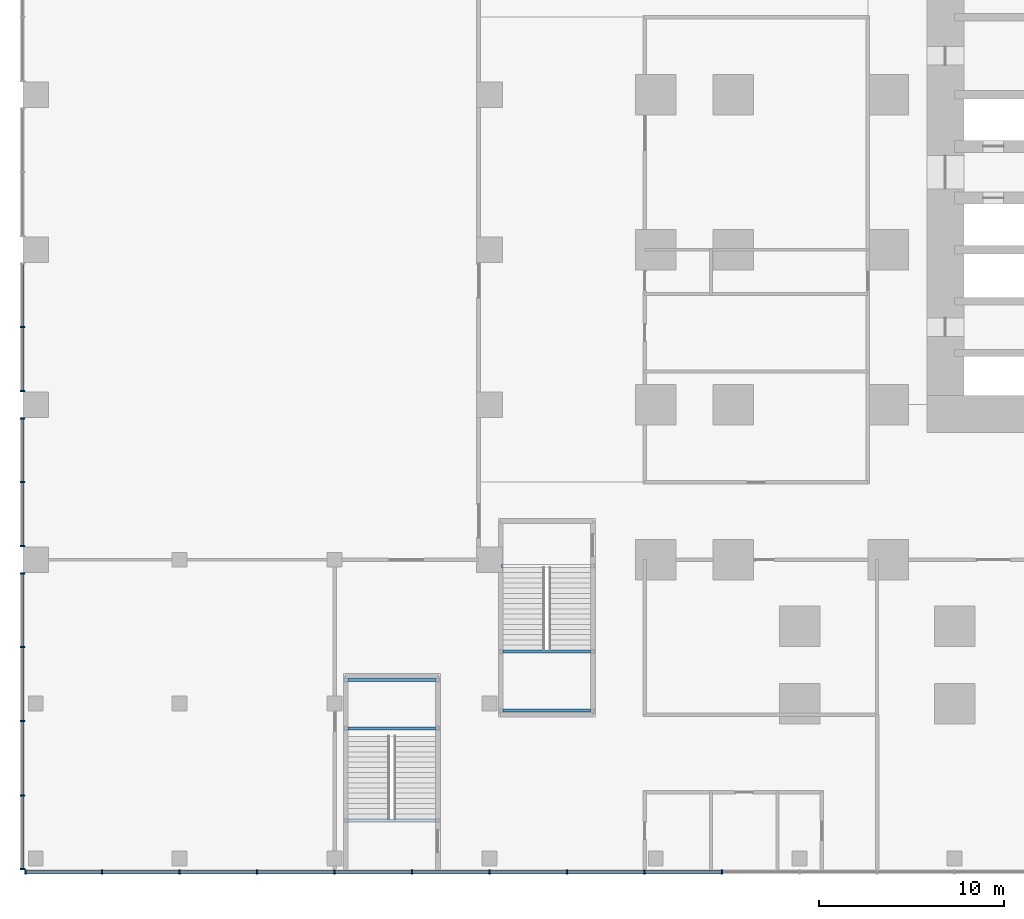
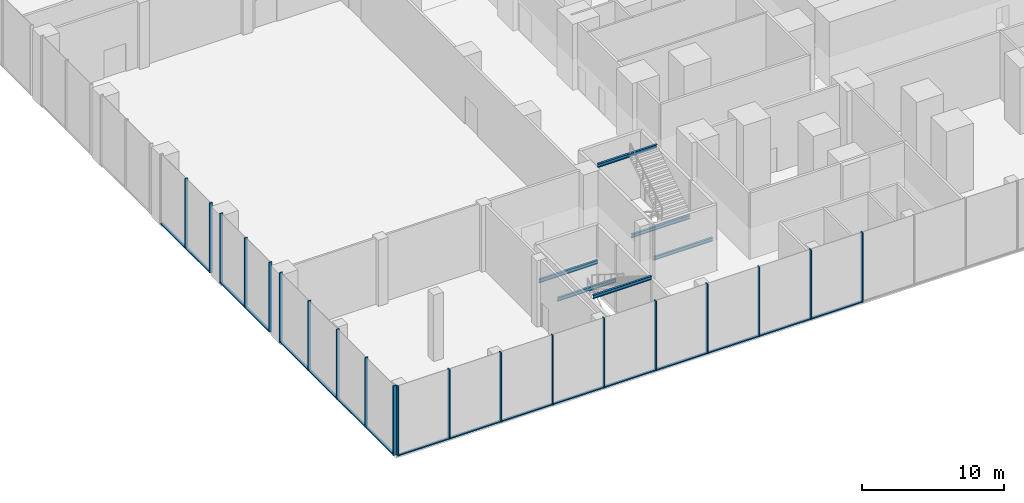
# One storey, part 15 of 32: 37 members, 6 beams, 4 elements without a shape of their own.
"""IFC4 building model written with IfcOpenShell, lengths in metres."""

import ifcopenshell
import ifcopenshell.guid

model = None  # the IFC model being written
_history = None  # IfcOwnerHistory: only IFC2X3 demands one
_inside = {}  # id of a spatial element -> (the spatial element, [elements in it])
_under = {}  # id of a project, library or spatial element -> (it, [spatial elements below it])
_declared = {}  # id of a project -> (the project, [libraries it declares])
_typed = {}  # id of a type object -> (the type object, [elements of that type])
_made_of = {}  # id of a material, layer set ... -> (it, [elements and type objects made of it])


def new_model(schema):
    """Start an empty IFC model of exactly this schema.

    Asked for "IFC4X3", IfcOpenShell would pick the latest addendum, in which some entities
    have other attributes; the version numbers below select the first issue.
    IFC2X3 requires an IfcOwnerHistory on every rooted entity: one is made here for all.
    """
    global model, _history
    if schema == "IFC4X3":
        model = ifcopenshell.file(schema_version=(4, 3, 0, 0))
    else:
        model = ifcopenshell.file(schema=schema)
    _inside.clear()
    _under.clear()
    _declared.clear()
    _typed.clear()
    _made_of.clear()
    _history = None
    if model.schema == "IFC2X3":
        org = make("IfcOrganization", Name="unknown")
        user = make(
            "IfcPersonAndOrganization",
            ThePerson=make("IfcPerson", FamilyName="unknown"),
            TheOrganization=org,
        )
        app = make(
            "IfcApplication",
            ApplicationDeveloper=org,
            Version="unknown",
            ApplicationFullName="unknown",
            ApplicationIdentifier="unknown",
        )
        _history = make(
            "IfcOwnerHistory",
            OwningUser=user,
            OwningApplication=app,
            ChangeAction="ADDED",
            CreationDate=0,
        )
    return model


def make(cls, **values):
    """One entity of the class cls with the attributes given. An attribute that is None is left unset."""
    return model.create_entity(
        cls, **{name: value for name, value in values.items() if value is not None}
    )


def rooted(cls, **values):
    """An entity with a GlobalId (a new one), such as an element, a storey or a relation."""
    return make(cls, GlobalId=ifcopenshell.guid.new(), OwnerHistory=_history, **values)


def si_unit(unit_type, name, prefix=None):
    """IfcSIUnit, for example si_unit("LENGTHUNIT", "METRE", prefix="MILLI")."""
    return make("IfcSIUnit", UnitType=unit_type, Prefix=prefix, Name=name)


def assignment(units):
    """IfcUnitAssignment: the units of a project."""
    return None if units is None else make("IfcUnitAssignment", Units=units)


def point(xyz):
    """IfcCartesianPoint."""
    return None if xyz is None else make("IfcCartesianPoint", Coordinates=xyz)


def direction(xyz):
    """IfcDirection."""
    return None if xyz is None else make("IfcDirection", DirectionRatios=xyz)


def frame(location, z_axis=None, x_axis=None):
    """IfcAxis2Placement3D, a coordinate frame: its origin and axes. An axis left out is left unset."""
    return make(
        "IfcAxis2Placement3D",
        Location=point(location),
        Axis=direction(z_axis),
        RefDirection=direction(x_axis),
    )


def frame_2d(location, x_axis=None):
    """IfcAxis2Placement2D, a coordinate frame in the plane: its origin and x axis."""
    return make(
        "IfcAxis2Placement2D", Location=point(location), RefDirection=direction(x_axis)
    )


def origin():
    """The frame at (0, 0, 0) with its axes left unset."""
    return frame((0.0, 0.0, 0.0))


def origin_2d():
    """The frame at (0, 0) in the plane with its x axis left unset."""
    return frame_2d((0.0, 0.0))


def place(relative_to, where):
    """IfcLocalPlacement: puts the frame where relative to a parent placement (None: the world)."""
    return make(
        "IfcLocalPlacement", PlacementRelTo=relative_to, RelativePlacement=where
    )


def context(
    kind, dimensions, precision=None, world=None, true_north=None, identifier=None
):
    """IfcGeometricRepresentationContext, for example the 3D "Model" context."""
    return make(
        "IfcGeometricRepresentationContext",
        ContextIdentifier=identifier,
        ContextType=kind,
        CoordinateSpaceDimension=dimensions,
        Precision=precision,
        WorldCoordinateSystem=world,
        TrueNorth=true_north,
    )


def subcontext(parent, identifier, kind, view, scale=None):
    """IfcGeometricRepresentationSubContext, for example "Body" below "Model"."""
    return make(
        "IfcGeometricRepresentationSubContext",
        ContextIdentifier=identifier,
        ContextType=kind,
        ParentContext=parent,
        TargetScale=scale,
        TargetView=view,
    )


def project(units=None, contexts=None):
    """IfcProject with its units and contexts."""
    return rooted(
        "IfcProject",
        Name="project",
        RepresentationContexts=contexts,
        UnitsInContext=assignment(units),
    )


def spatial(cls, under=None, at=None, **own):
    """A site, building, storey or space (cls), placed at a placement, below another one or the project."""
    s = rooted(cls, ObjectPlacement=at, **own)
    if under is not None:
        _under.setdefault(under.id(), (under, []))[1].append(s)
    return s


def profile(cls, at=None, kind="AREA", **sizes):
    """A parametric profile (cls). Its sizes go by their IFC names, for example OverallWidth=200.0."""
    return make(cls, ProfileType=kind, Position=at, **sizes)


def rectangle(**sizes):
    """IfcRectangleProfileDef."""
    return profile("IfcRectangleProfileDef", **sizes)


def i_section(**sizes):
    """IfcIShapeProfileDef."""
    return profile("IfcIShapeProfileDef", **sizes)


def extrude(swept, where, along, depth):
    """IfcExtrudedAreaSolid: the profile swept, set in the frame where, extruded along a direction by depth."""
    return make(
        "IfcExtrudedAreaSolid",
        SweptArea=swept,
        Position=where,
        ExtrudedDirection=direction(along),
        Depth=depth,
    )


def shape(context_of_items, identifier, shape_type, items):
    """IfcShapeRepresentation: the items that make up one representation, for example the "Body"."""
    return make(
        "IfcShapeRepresentation",
        ContextOfItems=context_of_items,
        RepresentationIdentifier=identifier,
        RepresentationType=shape_type,
        Items=items,
    )


def material(Name=None, Category=None):
    """IfcMaterial."""
    return make("IfcMaterial", Name=Name, Category=Category)


def material_profile(
    of_material, cross_section, Name=None, Category=None, Priority=None
):
    """IfcMaterialProfile: a cross section and its material."""
    return make(
        "IfcMaterialProfile",
        Name=Name,
        Material=of_material,
        Profile=cross_section,
        Priority=Priority,
        Category=Category,
    )


def profile_set(profiles, Name=None, composite=None):
    """IfcMaterialProfileSet."""
    return make(
        "IfcMaterialProfileSet",
        Name=Name,
        MaterialProfiles=profiles,
        CompositeProfile=composite,
    )


def made_of(thing, what):
    """Note that an element or type object is made of a material, layer set ...; save() writes the relation."""
    if what is not None:
        _made_of.setdefault(what.id(), (what, []))[1].append(thing)
    return thing


def type_object(cls, material=None, **own):
    """A type object (cls), such as IfcWallType, which elements share."""
    return made_of(rooted(cls, **own), material)


def element(
    cls,
    number,
    at=None,
    inside=None,
    cuts=None,
    type_object=None,
    material=None,
    context=None,
    identifier="Body",
    shape_type=None,
    held_by="IfcProductDefinitionShape",
    body=None,
    shapes=None,
    **own,
):
    """One element of the class cls, such as IfcWall. Its Tag is "e" and its number.

    at: its placement. inside: the storey or other place that contains it. cuts: it is an
    opening in that element (IfcRelVoidsElement). A single representation is given by context,
    identifier, shape_type and body (its items); several are given by shapes. held_by: the class
    of the entity that holds the representations. save() writes the other relations.
    """
    e = rooted(cls, Tag="e%d" % number, ObjectPlacement=at, **own)
    if body is not None:
        shapes = [shape(context, identifier, shape_type, body)]
    if shapes is not None:
        e.Representation = make(held_by, Representations=shapes)
    if inside is not None:
        _inside.setdefault(inside.id(), (inside, []))[1].append(e)
    if cuts is not None:
        rooted(
            "IfcRelVoidsElement", RelatingBuildingElement=cuts, RelatedOpeningElement=e
        )
    if type_object is not None:
        _typed.setdefault(type_object.id(), (type_object, []))[1].append(e)
    return made_of(e, material)


def aggregate(whole, parts):
    """IfcRelAggregates: a whole, such as a stair, and the parts it consists of."""
    return rooted("IfcRelAggregates", RelatingObject=whole, RelatedObjects=parts)


def save(model, path):
    """Write the relations noted so far, then the file.

    IfcRelAggregates (storeys below a building ...), IfcRelContainedInSpatialStructure (elements
    in a storey), IfcRelDefinesByType, IfcRelAssociatesMaterial and IfcRelDeclares: one each for
    every whole, place, type object, material and project.
    """
    for whole, parts in _under.values():
        aggregate(whole, parts)
    for where, things in _inside.values():
        rooted(
            "IfcRelContainedInSpatialStructure",
            RelatedElements=things,
            RelatingStructure=where,
        )
    for kind, things in _typed.values():
        rooted("IfcRelDefinesByType", RelatedObjects=things, RelatingType=kind)
    for what, things in _made_of.values():
        rooted("IfcRelAssociatesMaterial", RelatedObjects=things, RelatingMaterial=what)
    for by, libraries in _declared.values():
        rooted("IfcRelDeclares", RelatingContext=by, RelatedDefinitions=libraries)
    model.write(path)


model = new_model("IFC4")

# Units and contexts
model_context = context("Model", 3, precision=1e-05, world=origin(), true_north=direction((0.0, 1.0)))
body_context = subcontext(model_context, "Body", "Model", "MODEL_VIEW")
ifc_project = project(units=[si_unit("LENGTHUNIT", "METRE"), si_unit("AREAUNIT", "SQUARE_METRE"), si_unit("VOLUMEUNIT", "CUBIC_METRE"), si_unit("PLANEANGLEUNIT", "RADIAN"), si_unit("MASSUNIT", "GRAM", prefix="KILO")], contexts=[model_context])

# Site, building, storey
site_placement = place(None, origin())
site = spatial("IfcSite", under=ifc_project, at=site_placement, CompositionType="ELEMENT")
building_placement = place(site_placement, origin())
building = spatial("IfcBuilding", under=site, at=building_placement, Name="Dunama Terrace Hotel", CompositionType="ELEMENT")
storey_placement = place(building_placement, frame((0.0, 0.0, 6.0)))
storey = spatial("IfcBuildingStorey", under=building, at=storey_placement, Name="L01", CompositionType="ELEMENT", Elevation=6.0)

# Curtain wall, members
ifc_material_1 = material(Name="Aluminium curtain wall system", Category="aluminium")
curtain_wall_type = type_object("IfcCurtainWallType", Name="Podium storefront glazing CW-E", PredefinedType="NOTDEFINED", material=ifc_material_1)
curtain_wall_1_placement = place(storey_placement, origin())
curtain_wall_1 = element("IfcCurtainWall", 1, at=curtain_wall_1_placement, inside=storey, type_object=curtain_wall_type, Name="Podium storefront glazing CW-E L01", PredefinedType="NOTDEFINED")
ifc_material_2 = material(Name="Aluminium mullion", Category="aluminium")
ifc_material_profile_1 = material_profile(ifc_material_2, rectangle(XDim=0.080078125, YDim=0.25, at=origin_2d()), Name="CWE MULLION 80X250")
ifc_profile_set_1 = profile_set([ifc_material_profile_1], Name="Aluminium mullion")
member_type_1 = type_object("IfcMemberType", Name="CWE mullion 80x250", PredefinedType="MULLION", material=ifc_profile_set_1)
member_1_placement = place(storey_placement, frame((-33.56005859375, -8.52490234375, 0.0), z_axis=(0.0, 0.0, 1.0), x_axis=(1.0, 0.0, 0.0)))
member_1 = element("IfcMember", 2, at=member_1_placement, type_object=member_type_1, Name="CWE mullion", PredefinedType="MULLION", context=body_context, shape_type="SweptSolid", body=[
    extrude(rectangle(XDim=0.080078125, YDim=0.25, at=origin_2d()), origin(), (0.0, 0.0, 1.0), 6.0),
])
member_2_placement = place(storey_placement, frame((-29.39990234375, -8.52490234375, 0.0), z_axis=(0.0, 0.0, 1.0), x_axis=(1.0, 0.0, 0.0)))
member_2 = element("IfcMember", 3, at=member_2_placement, type_object=member_type_1, Name="CWE mullion", PredefinedType="MULLION", context=body_context, shape_type="SweptSolid", body=[
    extrude(rectangle(XDim=0.080078125, YDim=0.25, at=origin_2d()), origin(), (0.0, 0.0, 1.0), 6.0),
])
member_3_placement = place(storey_placement, frame((-25.199951171875, -8.52490234375, 0.0), z_axis=(0.0, 0.0, 1.0), x_axis=(1.0, 0.0, 0.0)))
member_3 = element("IfcMember", 4, at=member_3_placement, type_object=member_type_1, Name="CWE mullion", PredefinedType="MULLION", context=body_context, shape_type="SweptSolid", body=[
    extrude(rectangle(XDim=0.080078125, YDim=0.25, at=origin_2d()), origin(), (0.0, 0.0, 1.0), 6.0),
])
member_4_placement = place(storey_placement, frame((-21.0, -8.52490234375, 0.0), z_axis=(0.0, 0.0, 1.0), x_axis=(1.0, 0.0, 0.0)))
member_4 = element("IfcMember", 5, at=member_4_placement, type_object=member_type_1, Name="CWE mullion", PredefinedType="MULLION", context=body_context, shape_type="SweptSolid", body=[
    extrude(rectangle(XDim=0.080078125, YDim=0.25, at=origin_2d()), origin(), (0.0, 0.0, 1.0), 6.0),
])
member_5_placement = place(storey_placement, frame((-16.800048828125, -8.52490234375, 0.0), z_axis=(0.0, 0.0, 1.0), x_axis=(1.0, 0.0, 0.0)))
member_5 = element("IfcMember", 6, at=member_5_placement, type_object=member_type_1, Name="CWE mullion", PredefinedType="MULLION", context=body_context, shape_type="SweptSolid", body=[
    extrude(rectangle(XDim=0.080078125, YDim=0.25, at=origin_2d()), origin(), (0.0, 0.0, 1.0), 6.0),
])
member_6_placement = place(storey_placement, frame((-12.60009765625, -8.52490234375, 0.0), z_axis=(0.0, 0.0, 1.0), x_axis=(1.0, 0.0, 0.0)))
member_6 = element("IfcMember", 7, at=member_6_placement, type_object=member_type_1, Name="CWE mullion", PredefinedType="MULLION", context=body_context, shape_type="SweptSolid", body=[
    extrude(rectangle(XDim=0.080078125, YDim=0.25, at=origin_2d()), origin(), (0.0, 0.0, 1.0), 6.0),
])
member_7_placement = place(storey_placement, frame((-8.39990234375, -8.52490234375, 0.0), z_axis=(0.0, 0.0, 1.0), x_axis=(1.0, 0.0, 0.0)))
member_7 = element("IfcMember", 8, at=member_7_placement, type_object=member_type_1, Name="CWE mullion", PredefinedType="MULLION", context=body_context, shape_type="SweptSolid", body=[
    extrude(rectangle(XDim=0.080078125, YDim=0.25, at=origin_2d()), origin(), (0.0, 0.0, 1.0), 6.0),
])
member_8_placement = place(storey_placement, frame((-4.199951171875, -8.52490234375, 0.0), z_axis=(0.0, 0.0, 1.0), x_axis=(1.0, 0.0, 0.0)))
member_8 = element("IfcMember", 9, at=member_8_placement, type_object=member_type_1, Name="CWE mullion", PredefinedType="MULLION", context=body_context, shape_type="SweptSolid", body=[
    extrude(rectangle(XDim=0.080078125, YDim=0.25, at=origin_2d()), origin(), (0.0, 0.0, 1.0), 6.0),
])
member_9_placement = place(storey_placement, frame((0.0, -8.52490234375, 0.0), z_axis=(0.0, 0.0, 1.0), x_axis=(1.0, 0.0, 0.0)))
member_9 = element("IfcMember", 10, at=member_9_placement, type_object=member_type_1, Name="CWE mullion", PredefinedType="MULLION", context=body_context, shape_type="SweptSolid", body=[
    extrude(rectangle(XDim=0.080078125, YDim=0.25, at=origin_2d()), origin(), (0.0, 0.0, 1.0), 6.0),
])
member_10_placement = place(storey_placement, frame((4.199951171875, -8.52490234375, 0.0), z_axis=(0.0, 0.0, 1.0), x_axis=(1.0, 0.0, 0.0)))
member_10 = element("IfcMember", 11, at=member_10_placement, type_object=member_type_1, Name="CWE mullion", PredefinedType="MULLION", context=body_context, shape_type="SweptSolid", body=[
    extrude(rectangle(XDim=0.080078125, YDim=0.25, at=origin_2d()), origin(), (0.0, 0.0, 1.0), 6.0),
])

curtain_wall_2_placement = place(storey_placement, origin())
curtain_wall_2 = element("IfcCurtainWall", 12, at=curtain_wall_2_placement, inside=storey, type_object=curtain_wall_type, Name="Podium storefront glazing CW-E L01", PredefinedType="NOTDEFINED")
member_11_placement = place(storey_placement, frame((-33.72509765625, 21.0, 0.0), z_axis=(0.0, 0.0, 1.0), x_axis=(0.0, -1.0, 0.0)))
member_11 = element("IfcMember", 13, at=member_11_placement, type_object=member_type_1, Name="CWE mullion", PredefinedType="MULLION", context=body_context, shape_type="SweptSolid", body=[
    extrude(rectangle(XDim=0.080078125, YDim=0.25, at=origin_2d()), origin(), (0.0, 0.0, 1.0), 6.0),
])
member_12_placement = place(storey_placement, frame((-33.72509765625, 17.5400390625, 0.0), z_axis=(0.0, 0.0, 1.0), x_axis=(0.0, -1.0, 0.0)))
member_12 = element("IfcMember", 14, at=member_12_placement, type_object=member_type_1, Name="CWE mullion", PredefinedType="MULLION", context=body_context, shape_type="SweptSolid", body=[
    extrude(rectangle(XDim=0.080078125, YDim=0.25, at=origin_2d()), origin(), (0.0, 0.0, 1.0), 6.0),
])

curtain_wall_3_placement = place(storey_placement, origin())
curtain_wall_3 = element("IfcCurtainWall", 15, at=curtain_wall_3_placement, inside=storey, type_object=curtain_wall_type, Name="Podium storefront glazing CW-E L01", PredefinedType="NOTDEFINED")
member_13_placement = place(storey_placement, frame((-33.72509765625, 16.06005859375, 0.0), z_axis=(0.0, 0.0, 1.0), x_axis=(0.0, -1.0, 0.0)))
member_13 = element("IfcMember", 16, at=member_13_placement, type_object=member_type_1, Name="CWE mullion", PredefinedType="MULLION", context=body_context, shape_type="SweptSolid", body=[
    extrude(rectangle(XDim=0.080078125, YDim=0.25, at=origin_2d()), origin(), (0.0, 0.0, 1.0), 6.0),
])
member_14_placement = place(storey_placement, frame((-33.72509765625, 12.60009765625, 0.0), z_axis=(0.0, 0.0, 1.0), x_axis=(0.0, -1.0, 0.0)))
member_14 = element("IfcMember", 17, at=member_14_placement, type_object=member_type_1, Name="CWE mullion", PredefinedType="MULLION", context=body_context, shape_type="SweptSolid", body=[
    extrude(rectangle(XDim=0.080078125, YDim=0.25, at=origin_2d()), origin(), (0.0, 0.0, 1.0), 6.0),
])
member_15_placement = place(storey_placement, frame((-33.72509765625, 9.139892578125, 0.0), z_axis=(0.0, 0.0, 1.0), x_axis=(0.0, -1.0, 0.0)))
member_15 = element("IfcMember", 18, at=member_15_placement, type_object=member_type_1, Name="CWE mullion", PredefinedType="MULLION", context=body_context, shape_type="SweptSolid", body=[
    extrude(rectangle(XDim=0.080078125, YDim=0.25, at=origin_2d()), origin(), (0.0, 0.0, 1.0), 6.0),
])

curtain_wall_4_placement = place(storey_placement, origin())
curtain_wall_4 = element("IfcCurtainWall", 19, at=curtain_wall_4_placement, inside=storey, type_object=curtain_wall_type, Name="Podium storefront glazing CW-E L01", PredefinedType="NOTDEFINED")
member_16_placement = place(storey_placement, frame((-33.72509765625, 7.659912109375, 0.0), z_axis=(0.0, 0.0, 1.0), x_axis=(0.0, -1.0, 0.0)))
member_16 = element("IfcMember", 20, at=member_16_placement, type_object=member_type_1, Name="CWE mullion", PredefinedType="MULLION", context=body_context, shape_type="SweptSolid", body=[
    extrude(rectangle(XDim=0.080078125, YDim=0.25, at=origin_2d()), origin(), (0.0, 0.0, 1.0), 6.0),
])
member_17_placement = place(storey_placement, frame((-33.72509765625, 3.675048828125, 0.0), z_axis=(0.0, 0.0, 1.0), x_axis=(0.0, -1.0, 0.0)))
member_17 = element("IfcMember", 21, at=member_17_placement, type_object=member_type_1, Name="CWE mullion", PredefinedType="MULLION", context=body_context, shape_type="SweptSolid", body=[
    extrude(rectangle(XDim=0.080078125, YDim=0.25, at=origin_2d()), origin(), (0.0, 0.0, 1.0), 6.0),
])
member_18_placement = place(storey_placement, frame((-33.72509765625, -0.35009765625, 0.0), z_axis=(0.0, 0.0, 1.0), x_axis=(0.0, -1.0, 0.0)))
member_18 = element("IfcMember", 22, at=member_18_placement, type_object=member_type_1, Name="CWE mullion", PredefinedType="MULLION", context=body_context, shape_type="SweptSolid", body=[
    extrude(rectangle(XDim=0.080078125, YDim=0.25, at=origin_2d()), origin(), (0.0, 0.0, 1.0), 6.0),
])
member_19_placement = place(storey_placement, frame((-33.72509765625, -4.375, 0.0), z_axis=(0.0, 0.0, 1.0), x_axis=(0.0, -1.0, 0.0)))
member_19 = element("IfcMember", 23, at=member_19_placement, type_object=member_type_1, Name="CWE mullion", PredefinedType="MULLION", context=body_context, shape_type="SweptSolid", body=[
    extrude(rectangle(XDim=0.080078125, YDim=0.25, at=origin_2d()), origin(), (0.0, 0.0, 1.0), 6.0),
])
member_20_placement = place(storey_placement, frame((-33.72509765625, -8.360107421875, 0.0), z_axis=(0.0, 0.0, 1.0), x_axis=(0.0, -1.0, 0.0)))
member_20 = element("IfcMember", 24, at=member_20_placement, type_object=member_type_1, Name="CWE mullion", PredefinedType="MULLION", context=body_context, shape_type="SweptSolid", body=[
    extrude(rectangle(XDim=0.080078125, YDim=0.25, at=origin_2d()), origin(), (0.0, 0.0, 1.0), 6.0),
])

# Member
ifc_material_3 = material(Name="Aluminium transom", Category="aluminium")
ifc_material_profile_2 = material_profile(ifc_material_3, rectangle(XDim=0.199951171875, YDim=0.090087890625, at=origin_2d()), Name="CWE TRANSOM 200X90")
ifc_profile_set_2 = profile_set([ifc_material_profile_2], Name="Aluminium transom")
member_type_2 = type_object("IfcMemberType", Name="CWE transom 200x90", PredefinedType="USERDEFINED", material=ifc_profile_set_2)
member_21_placement = place(storey_placement, frame((-33.52001953125, -8.52490234375, 0.044921875), z_axis=(1.0, 0.0, 0.0), x_axis=(0.0, 1.0, 0.0)))
member_21 = element("IfcMember", 25, at=member_21_placement, type_object=member_type_2, Name="CWE transom", ObjectType="TRANSOM", PredefinedType="USERDEFINED", context=body_context, shape_type="SweptSolid", body=[
    extrude(rectangle(XDim=0.199951171875, YDim=0.090087890625, at=origin_2d()), origin(), (0.0, 0.0, 1.0), 4.080078125),
])

member_22_placement = place(storey_placement, frame((-29.360107421875, -8.52490234375, 0.044921875), z_axis=(1.0, 0.0, 0.0), x_axis=(0.0, 1.0, 0.0)))
member_22 = element("IfcMember", 26, at=member_22_placement, type_object=member_type_2, Name="CWE transom", ObjectType="TRANSOM", PredefinedType="USERDEFINED", context=body_context, shape_type="SweptSolid", body=[
    extrude(rectangle(XDim=0.199951171875, YDim=0.090087890625, at=origin_2d()), origin(), (0.0, 0.0, 1.0), 4.1201171875),
])

member_23_placement = place(storey_placement, frame((-25.159912109375, -8.52490234375, 0.044921875), z_axis=(1.0, 0.0, 0.0), x_axis=(0.0, 1.0, 0.0)))
member_23 = element("IfcMember", 27, at=member_23_placement, type_object=member_type_2, Name="CWE transom", ObjectType="TRANSOM", PredefinedType="USERDEFINED", context=body_context, shape_type="SweptSolid", body=[
    extrude(rectangle(XDim=0.199951171875, YDim=0.090087890625, at=origin_2d()), origin(), (0.0, 0.0, 1.0), 4.119873046875),
])

member_24_placement = place(storey_placement, frame((-20.9599609375, -8.52490234375, 0.044921875), z_axis=(1.0, 0.0, 0.0), x_axis=(0.0, 1.0, 0.0)))
member_24 = element("IfcMember", 28, at=member_24_placement, type_object=member_type_2, Name="CWE transom", ObjectType="TRANSOM", PredefinedType="USERDEFINED", context=body_context, shape_type="SweptSolid", body=[
    extrude(rectangle(XDim=0.199951171875, YDim=0.090087890625, at=origin_2d()), origin(), (0.0, 0.0, 1.0), 4.119873046875),
])

member_25_placement = place(storey_placement, frame((-16.760009765625, -8.52490234375, 0.044921875), z_axis=(1.0, 0.0, 0.0), x_axis=(0.0, 1.0, 0.0)))
member_25 = element("IfcMember", 29, at=member_25_placement, type_object=member_type_2, Name="CWE transom", ObjectType="TRANSOM", PredefinedType="USERDEFINED", context=body_context, shape_type="SweptSolid", body=[
    extrude(rectangle(XDim=0.199951171875, YDim=0.090087890625, at=origin_2d()), origin(), (0.0, 0.0, 1.0), 4.1201171875),
])

member_26_placement = place(storey_placement, frame((-12.56005859375, -8.52490234375, 0.044921875), z_axis=(1.0, 0.0, 0.0), x_axis=(0.0, 1.0, 0.0)))
member_26 = element("IfcMember", 30, at=member_26_placement, type_object=member_type_2, Name="CWE transom", ObjectType="TRANSOM", PredefinedType="USERDEFINED", context=body_context, shape_type="SweptSolid", body=[
    extrude(rectangle(XDim=0.199951171875, YDim=0.090087890625, at=origin_2d()), origin(), (0.0, 0.0, 1.0), 4.1201171875),
])

member_27_placement = place(storey_placement, frame((-8.360107421875, -8.52490234375, 0.044921875), z_axis=(1.0, 0.0, 0.0), x_axis=(0.0, 1.0, 0.0)))
member_27 = element("IfcMember", 31, at=member_27_placement, type_object=member_type_2, Name="CWE transom", ObjectType="TRANSOM", PredefinedType="USERDEFINED", context=body_context, shape_type="SweptSolid", body=[
    extrude(rectangle(XDim=0.199951171875, YDim=0.090087890625, at=origin_2d()), origin(), (0.0, 0.0, 1.0), 4.1201171875),
])

member_28_placement = place(storey_placement, frame((-4.159912109375, -8.52490234375, 0.044921875), z_axis=(1.0, 0.0, 0.0), x_axis=(0.0, 1.0, 0.0)))
member_28 = element("IfcMember", 32, at=member_28_placement, type_object=member_type_2, Name="CWE transom", ObjectType="TRANSOM", PredefinedType="USERDEFINED", context=body_context, shape_type="SweptSolid", body=[
    extrude(rectangle(XDim=0.199951171875, YDim=0.090087890625, at=origin_2d()), origin(), (0.0, 0.0, 1.0), 4.119873046875),
])

member_29_placement = place(storey_placement, frame((0.0400390625, -8.52490234375, 0.044921875), z_axis=(1.0, 0.0, 0.0), x_axis=(0.0, 1.0, 0.0)))
member_29 = element("IfcMember", 33, at=member_29_placement, type_object=member_type_2, Name="CWE transom", ObjectType="TRANSOM", PredefinedType="USERDEFINED", context=body_context, shape_type="SweptSolid", body=[
    extrude(rectangle(XDim=0.199951171875, YDim=0.090087890625, at=origin_2d()), origin(), (0.0, 0.0, 1.0), 4.119873046875),
])

aggregate(curtain_wall_1, [member_1, member_2, member_3, member_4, member_5, member_6, member_7, member_8, member_9, member_10, member_21, member_22, member_23, member_24, member_25, member_26, member_27, member_28, member_29])

member_30_placement = place(storey_placement, frame((-33.72509765625, 24.419921875, 0.044921875), z_axis=(0.0, -1.0, 0.0), x_axis=(1.0, 0.0, 0.0)))
member_30 = element("IfcMember", 34, at=member_30_placement, type_object=member_type_2, Name="CWE transom", ObjectType="TRANSOM", PredefinedType="USERDEFINED", context=body_context, shape_type="SweptSolid", body=[
    extrude(rectangle(XDim=0.199951171875, YDim=0.090087890625, at=origin_2d()), origin(), (0.0, 0.0, 1.0), 3.3798828125),
])

member_31_placement = place(storey_placement, frame((-33.72509765625, 20.9599609375, 0.044921875), z_axis=(0.0, -1.0, 0.0), x_axis=(1.0, 0.0, 0.0)))
member_31 = element("IfcMember", 35, at=member_31_placement, type_object=member_type_2, Name="CWE transom", ObjectType="TRANSOM", PredefinedType="USERDEFINED", context=body_context, shape_type="SweptSolid", body=[
    extrude(rectangle(XDim=0.199951171875, YDim=0.090087890625, at=origin_2d()), origin(), (0.0, 0.0, 1.0), 3.3798828125),
])

aggregate(curtain_wall_2, [member_11, member_12, member_30, member_31])

member_32_placement = place(storey_placement, frame((-33.72509765625, 16.02001953125, 0.044921875), z_axis=(0.0, -1.0, 0.0), x_axis=(1.0, 0.0, 0.0)))
member_32 = element("IfcMember", 36, at=member_32_placement, type_object=member_type_2, Name="CWE transom", ObjectType="TRANSOM", PredefinedType="USERDEFINED", context=body_context, shape_type="SweptSolid", body=[
    extrude(rectangle(XDim=0.199951171875, YDim=0.090087890625, at=origin_2d()), origin(), (0.0, 0.0, 1.0), 3.380126953125),
])

member_33_placement = place(storey_placement, frame((-33.72509765625, 12.56005859375, 0.044921875), z_axis=(0.0, -1.0, 0.0), x_axis=(1.0, 0.0, 0.0)))
member_33 = element("IfcMember", 37, at=member_33_placement, type_object=member_type_2, Name="CWE transom", ObjectType="TRANSOM", PredefinedType="USERDEFINED", context=body_context, shape_type="SweptSolid", body=[
    extrude(rectangle(XDim=0.199951171875, YDim=0.090087890625, at=origin_2d()), origin(), (0.0, 0.0, 1.0), 3.380126953125),
])

aggregate(curtain_wall_3, [member_13, member_14, member_15, member_32, member_33])

member_34_placement = place(storey_placement, frame((-33.72509765625, 7.6201171875, 0.044921875), z_axis=(0.0, -1.0, 0.0), x_axis=(1.0, 0.0, 0.0)))
member_34 = element("IfcMember", 38, at=member_34_placement, type_object=member_type_2, Name="CWE transom", ObjectType="TRANSOM", PredefinedType="USERDEFINED", context=body_context, shape_type="SweptSolid", body=[
    extrude(rectangle(XDim=0.199951171875, YDim=0.090087890625, at=origin_2d()), origin(), (0.0, 0.0, 1.0), 3.905029296875),
])

member_35_placement = place(storey_placement, frame((-33.72509765625, 3.635009765625, 0.044921875), z_axis=(0.0, -1.0, 0.0), x_axis=(1.0, 0.0, 0.0)))
member_35 = element("IfcMember", 39, at=member_35_placement, type_object=member_type_2, Name="CWE transom", ObjectType="TRANSOM", PredefinedType="USERDEFINED", context=body_context, shape_type="SweptSolid", body=[
    extrude(rectangle(XDim=0.199951171875, YDim=0.090087890625, at=origin_2d()), origin(), (0.0, 0.0, 1.0), 3.945068359375),
])

member_36_placement = place(storey_placement, frame((-33.72509765625, -0.389892578125, 0.044921875), z_axis=(0.0, -1.0, 0.0), x_axis=(1.0, 0.0, 0.0)))
member_36 = element("IfcMember", 40, at=member_36_placement, type_object=member_type_2, Name="CWE transom", ObjectType="TRANSOM", PredefinedType="USERDEFINED", context=body_context, shape_type="SweptSolid", body=[
    extrude(rectangle(XDim=0.199951171875, YDim=0.090087890625, at=origin_2d()), origin(), (0.0, 0.0, 1.0), 3.945068359375),
])

member_37_placement = place(storey_placement, frame((-33.72509765625, -4.4150390625, 0.044921875), z_axis=(0.0, -1.0, 0.0), x_axis=(1.0, 0.0, 0.0)))
member_37 = element("IfcMember", 41, at=member_37_placement, type_object=member_type_2, Name="CWE transom", ObjectType="TRANSOM", PredefinedType="USERDEFINED", context=body_context, shape_type="SweptSolid", body=[
    extrude(rectangle(XDim=0.199951171875, YDim=0.090087890625, at=origin_2d()), origin(), (0.0, 0.0, 1.0), 3.905029296875),
])

aggregate(curtain_wall_4, [member_16, member_17, member_18, member_19, member_20, member_34, member_35, member_36, member_37])

# Beams
ifc_material_4 = material(Name="Steel S355", Category="steel")
ifc_material_profile_3 = material_profile(ifc_material_4, i_section(OverallWidth=0.1650390625, OverallDepth=0.303466796875, WebThickness=0.006103515625, FlangeThickness=0.01025390625, FilletRadius=0.0087890625, at=origin_2d()), Name="UB 305x165x40")
ifc_profile_set_3 = profile_set([ifc_material_profile_3], Name="Steel S355")
beam_type = type_object("IfcBeamType", Name="Stair beam UB 305x165x40", PredefinedType="BEAM", material=ifc_profile_set_3)
for number, where, z_axis, x_axis, name in (
    (42, (-16.074951171875, -5.732421875, 5.848388671875), (1.0, 0.0, 0.0), (0.0, 1.0, 0.0), "Stair trimmer P2 at L02"),
    (43, (-16.074951171875, -0.737548828125, 2.598388671875), (1.0, 0.0, 0.0), (0.0, 1.0, 0.0), "Stair landing beam P2 L01 front"),
    (44, (-16.074951171875, 1.875, 2.598388671875), (1.0, 0.0, 0.0), (0.0, 1.0, 0.0), "Stair landing beam P2 L01 far"),
):
    element("IfcBeam", number, at=place(storey_placement, frame(where, z_axis=z_axis, x_axis=x_axis)), inside=storey, type_object=beam_type, Name=name, PredefinedType="BEAM", context=body_context, shape_type="SweptSolid", body=[
        extrude(i_section(OverallWidth=0.1650390625, OverallDepth=0.303466796875, WebThickness=0.006103515625, FlangeThickness=0.01025390625, FilletRadius=0.0087890625, at=origin_2d()), origin(), (0.0, 0.0, 1.0), 4.75),
    ])
beam_placement = place(storey_placement, frame((-7.75, 8.0576171875, 5.848388671875), z_axis=(1.0, 0.0, 0.0), x_axis=(0.0, 1.0, 0.0)))
element("IfcBeam", 45, at=beam_placement, inside=storey, type_object=beam_type, Name="Stair trimmer P4 at L02", PredefinedType="BEAM", context=body_context, shape_type="SweptSolid", body=[
    extrude(i_section(OverallWidth=0.1650390625, OverallDepth=0.303466796875, WebThickness=0.006103515625, FlangeThickness=0.01025390625, FilletRadius=0.0087890625, at=origin_2d()), origin(), (0.0, 0.0, 1.0), 4.824951171875),
])
for number, where, z_axis, x_axis, name in (
    (46, (-7.675048828125, 3.41259765625, 2.598388671875), (1.0, 0.0, 0.0), (0.0, 1.0, 0.0), "Stair landing beam P4 L01 front"),
    (47, (-7.675048828125, 0.22509765625, 2.598388671875), (1.0, 0.0, 0.0), (0.0, 1.0, 0.0), "Stair landing beam P4 L01 far"),
):
    element("IfcBeam", number, at=place(storey_placement, frame(where, z_axis=z_axis, x_axis=x_axis)), inside=storey, type_object=beam_type, Name=name, PredefinedType="BEAM", context=body_context, shape_type="SweptSolid", body=[
        extrude(i_section(OverallWidth=0.1650390625, OverallDepth=0.303466796875, WebThickness=0.006103515625, FlangeThickness=0.01025390625, FilletRadius=0.0087890625, at=origin_2d()), origin(), (0.0, 0.0, 1.0), 4.75),
    ])

save(model, "model.ifc")
